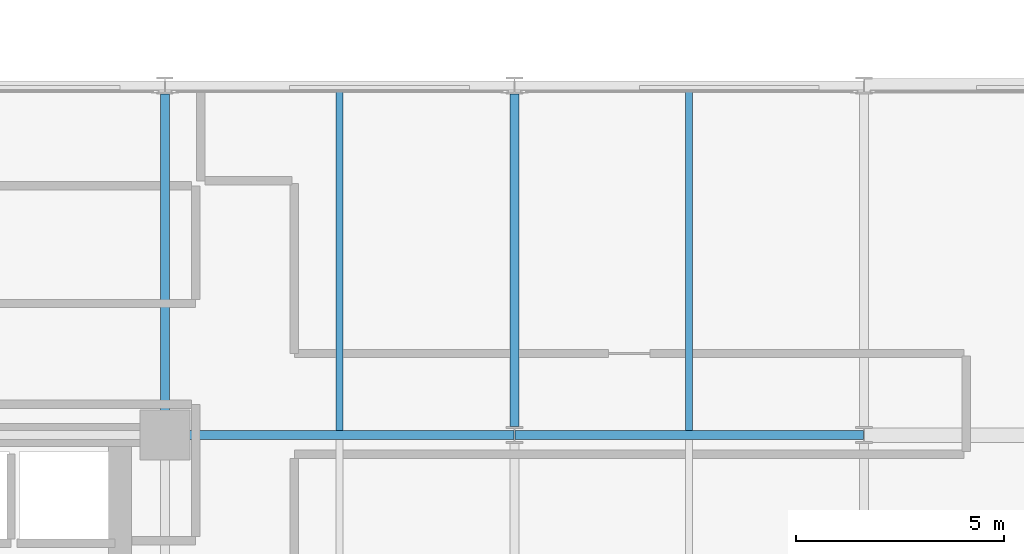
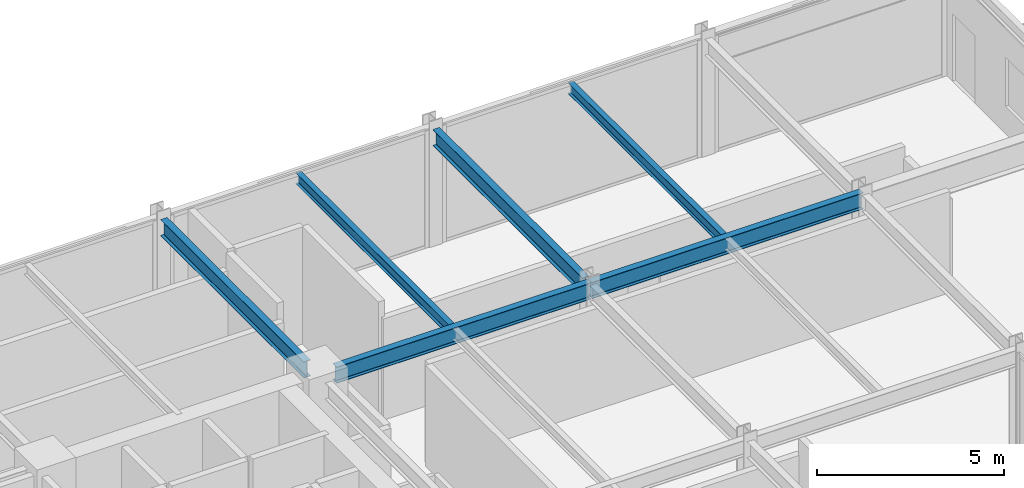
# One storey, part 19 of 38: 6 beams.
"""IFC4 building model written with IfcOpenShell, lengths in metres."""

from ifc_helpers import new_model, si_unit, direction, frame, origin, origin_2d, place, context, subcontext, project, spatial, i_section, extrude, material, material_profile, profile_set, type_object, element, save


model = new_model("IFC4")

# Units and contexts
model_context = context("Model", 3, precision=1e-05, world=origin(), true_north=direction((0.0, 1.0)))
body_context = subcontext(model_context, "Body", "Model", "MODEL_VIEW")
ifc_project = project(units=[si_unit("LENGTHUNIT", "METRE"), si_unit("AREAUNIT", "SQUARE_METRE"), si_unit("VOLUMEUNIT", "CUBIC_METRE"), si_unit("PLANEANGLEUNIT", "RADIAN"), si_unit("MASSUNIT", "GRAM", prefix="KILO")], contexts=[model_context])

# Site, building, storey
site_placement = place(None, origin())
site = spatial("IfcSite", under=ifc_project, at=site_placement, CompositionType="ELEMENT")
building_placement = place(site_placement, origin())
building = spatial("IfcBuilding", under=site, at=building_placement, Name="Nerrivon Quay Data Exchange", CompositionType="ELEMENT")
storey_placement = place(building_placement, frame((0.0, 0.0, 100.800048828125)))
storey = spatial("IfcBuildingStorey", under=building, at=storey_placement, Name="L23", CompositionType="ELEMENT", Elevation=100.800048828125)

# Beams
ifc_material = material(Name="Steel Grade 350", Category="steel")
ifc_material_profile_1 = material_profile(ifc_material, i_section(OverallWidth=0.208984375, OverallDepth=0.532958984375, WebThickness=0.01025390625, FlangeThickness=0.015625, FilletRadius=0.013916015625, at=origin_2d()), Name="530UB92.4")
ifc_profile_set_1 = profile_set([ifc_material_profile_1], Name="Steel Grade 350")
beam_type_1 = type_object("IfcBeamType", Name="BM-G3-530UB92", PredefinedType="BEAM", material=ifc_profile_set_1)
beam_1_placement = place(storey_placement, frame((34.139892578125, 16.800048828125, 3.558349609375), z_axis=(1.0, 0.0, 0.0), x_axis=(0.0, 1.0, 0.0)))
element("IfcBeam", 1, at=beam_1_placement, inside=storey, type_object=beam_type_1, Name="L23 EW Girder Y=16.8 (33.6..42.0)", PredefinedType="BEAM", context=body_context, shape_type="SweptSolid", body=[
    extrude(i_section(OverallWidth=0.208984375, OverallDepth=0.532958984375, WebThickness=0.01025390625, FlangeThickness=0.015625, FilletRadius=0.013916015625, at=origin_2d()), origin(), (0.0, 0.0, 1.0), 7.84765625),
])
beam_2_placement = place(storey_placement, frame((42.012451171875, 16.800048828125, 3.558349609375), z_axis=(1.0, 0.0, 0.0), x_axis=(0.0, 1.0, 0.0)))
element("IfcBeam", 2, at=beam_2_placement, inside=storey, type_object=beam_type_1, Name="L23 EW Girder Y=16.8 (42.0..50.4)", PredefinedType="BEAM", context=body_context, shape_type="SweptSolid", body=[
    extrude(i_section(OverallWidth=0.208984375, OverallDepth=0.532958984375, WebThickness=0.01025390625, FlangeThickness=0.015625, FilletRadius=0.013916015625, at=origin_2d()), origin(), (0.0, 0.0, 1.0), 8.375),
])
ifc_material_profile_2 = material_profile(ifc_material, i_section(OverallWidth=0.208984375, OverallDepth=0.528076171875, WebThickness=0.009521484375, FlangeThickness=0.01318359375, FilletRadius=0.013916015625, at=origin_2d()), Name="530UB82.0")
ifc_profile_set_2 = profile_set([ifc_material_profile_2], Name="Steel Grade 350")
beam_type_2 = type_object("IfcBeamType", Name="BM-G4-530UB82", PredefinedType="BEAM", material=ifc_profile_set_2)
beam_3_placement = place(storey_placement, frame((33.60009765625, 17.340087890625, 3.56103515625), z_axis=(0.0, 1.0, 0.0), x_axis=(-1.0, 0.0, 0.0)))
element("IfcBeam", 3, at=beam_3_placement, inside=storey, type_object=beam_type_2, Name="L23 NS Girder X=33.6 (16.8..25.2)", PredefinedType="BEAM", context=body_context, shape_type="SweptSolid", body=[
    extrude(i_section(OverallWidth=0.208984375, OverallDepth=0.528076171875, WebThickness=0.009521484375, FlangeThickness=0.01318359375, FilletRadius=0.013916015625, at=origin_2d()), origin(), (0.0, 0.0, 1.0), 7.659912109375),
])
beam_4_placement = place(storey_placement, frame((42.0, 17.0, 3.56103515625), z_axis=(0.0, 1.0, 0.0), x_axis=(-1.0, 0.0, 0.0)))
element("IfcBeam", 4, at=beam_4_placement, inside=storey, type_object=beam_type_2, Name="L23 NS Girder X=42.0 (16.8..25.2)", PredefinedType="BEAM", context=body_context, shape_type="SweptSolid", body=[
    extrude(i_section(OverallWidth=0.208984375, OverallDepth=0.528076171875, WebThickness=0.009521484375, FlangeThickness=0.01318359375, FilletRadius=0.013916015625, at=origin_2d()), origin(), (0.0, 0.0, 1.0), 8.0),
])
ifc_material_profile_3 = material_profile(ifc_material, i_section(OverallWidth=0.1708984375, OverallDepth=0.35595703125, WebThickness=0.00732421875, FlangeThickness=0.011474609375, FilletRadius=0.011474609375, at=origin_2d()), Name="360UB50.7")
ifc_profile_set_3 = profile_set([ifc_material_profile_3], Name="Steel Grade 350")
beam_type_3 = type_object("IfcBeamType", Name="BM-J4-360UB51", PredefinedType="JOIST", material=ifc_profile_set_3)
for number, where, z_axis, x_axis, name in (
    (5, (37.800048828125, 16.904541015625, 3.64697265625), (0.0, 1.0, 0.0), (-1.0, 0.0, 0.0), "L23 Secondary Joist X=37.8 (16.8..25.2)"),
    (6, (46.199951171875, 16.904541015625, 3.64697265625), (0.0, 1.0, 0.0), (-1.0, 0.0, 0.0), "L23 Secondary Joist X=46.2 (16.8..25.2)"),
):
    element("IfcBeam", number, at=place(storey_placement, frame(where, z_axis=z_axis, x_axis=x_axis)), inside=storey, type_object=beam_type_3, Name=name, PredefinedType="JOIST", context=body_context, shape_type="SweptSolid", body=[
        extrude(i_section(OverallWidth=0.1708984375, OverallDepth=0.35595703125, WebThickness=0.00732421875, FlangeThickness=0.011474609375, FilletRadius=0.011474609375, at=origin_2d()), origin(), (0.0, 0.0, 1.0), 8.19091796875),
    ])

save(model, "model.ifc")
